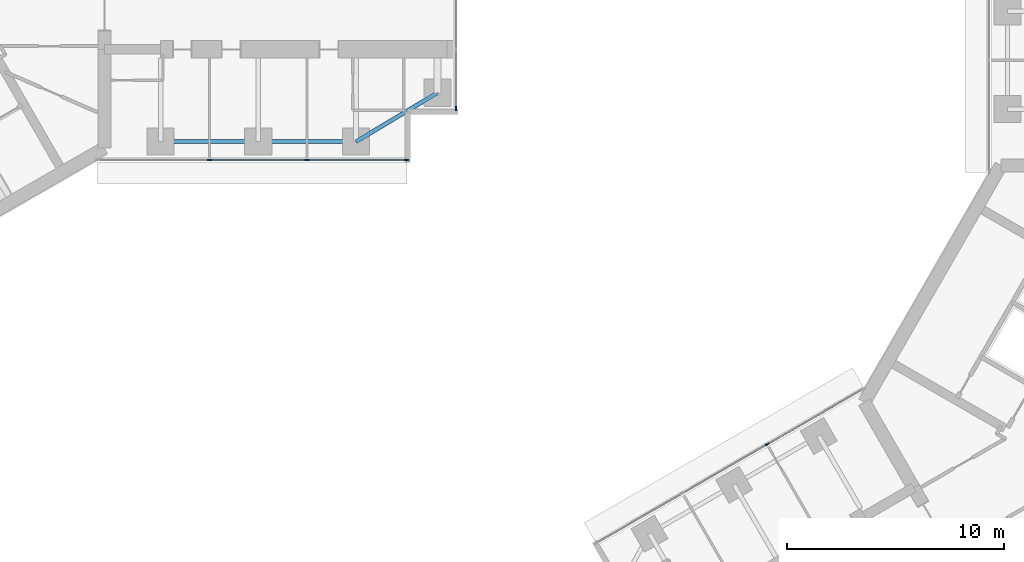
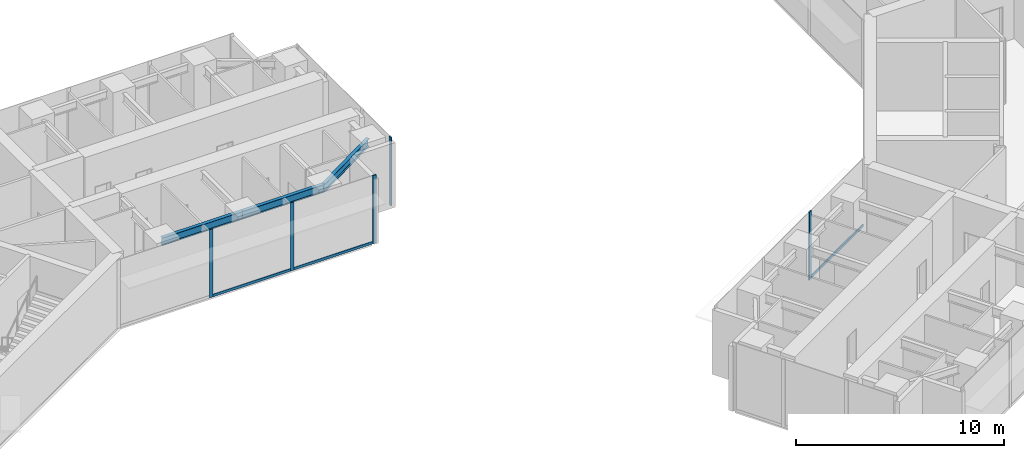
# One storey, part 4 of 23: 8 members, 3 beams, 3 elements without a shape of their own.
"""IFC4 building model written with IfcOpenShell, lengths in metres."""

from ifc_helpers import new_model, si_unit, direction, frame, origin, origin_2d, place, context, subcontext, project, spatial, rectangle, i_section, extrude, material, material_profile, profile_set, type_object, element, aggregate, save


model = new_model("IFC4")

# Units and contexts
model_context = context("Model", 3, precision=1e-05, world=origin(), true_north=direction((0.0, 1.0)))
body_context = subcontext(model_context, "Body", "Model", "MODEL_VIEW")
ifc_project = project(units=[si_unit("LENGTHUNIT", "METRE"), si_unit("AREAUNIT", "SQUARE_METRE"), si_unit("VOLUMEUNIT", "CUBIC_METRE"), si_unit("PLANEANGLEUNIT", "RADIAN"), si_unit("MASSUNIT", "GRAM", prefix="KILO")], contexts=[model_context])

# Site, building, storey
site_placement = place(None, origin())
site = spatial("IfcSite", under=ifc_project, at=site_placement, CompositionType="ELEMENT")
building_placement = place(site_placement, origin())
building = spatial("IfcBuilding", under=site, at=building_placement, Name="Upepo Twin Towers", CompositionType="ELEMENT")
storey_placement = place(building_placement, frame((0.0, 0.0, 145.5)))
storey = spatial("IfcBuildingStorey", under=building, at=storey_placement, Name="L35", CompositionType="ELEMENT", Elevation=145.5)

# Beams
ifc_material_1 = material(Name="Steel S355", Category="steel")
ifc_material_profile_1 = material_profile(ifc_material_1, i_section(OverallWidth=0.1904296875, OverallDepth=0.45703125, WebThickness=0.009033203125, FlangeThickness=0.014404296875, FilletRadius=0.01025390625, at=origin_2d()), Name="UB 457x191x74")
ifc_profile_set_1 = profile_set([ifc_material_profile_1], Name="Steel S355")
beam_type = type_object("IfcBeamType", Name="Beam UB 457x191x74", PredefinedType="BEAM", material=ifc_profile_set_1)
for number, where, z_axis, x_axis, name in (
    (1, (13.5, -6.0, 3.571533203125), (1.0, 0.0, 0.0), (0.0, 1.0, 0.0), "T1 edge beam AR 13.5-18.0"),
    (2, (18.0, -6.0, 3.571533203125), (1.0, 0.0, 0.0), (0.0, 1.0, 0.0), "T1 edge beam AR 18.0-22.5"),
):
    element("IfcBeam", number, at=place(storey_placement, frame(where, z_axis=z_axis, x_axis=x_axis)), inside=storey, type_object=beam_type, Name=name, PredefinedType="BEAM", context=body_context, shape_type="SweptSolid", body=[
        extrude(i_section(OverallWidth=0.1904296875, OverallDepth=0.45703125, WebThickness=0.009033203125, FlangeThickness=0.014404296875, FilletRadius=0.01025390625, at=origin_2d()), origin(), (0.0, 0.0, 1.0), 4.5),
    ])
beam_placement = place(storey_placement, frame((22.5, -6.0, 3.571533203125), z_axis=(0.857492925713, 0.514495755428, 0.0), x_axis=(-0.514495755428, 0.857492925713, 0.0)))
element("IfcBeam", 3, at=beam_placement, inside=storey, type_object=beam_type, Name="T1 nose edge beam AR", PredefinedType="BEAM", context=body_context, shape_type="SweptSolid", body=[
    extrude(i_section(OverallWidth=0.1904296875, OverallDepth=0.45703125, WebThickness=0.009033203125, FlangeThickness=0.014404296875, FilletRadius=0.01025390625, at=origin_2d()), origin(), (0.0, 0.0, 1.0), 4.373291015625),
])

# Curtain wall, members
ifc_material_2 = material(Name="Aluminium and fritted glass", Category="aluminium")
curtain_wall_type = type_object("IfcCurtainWallType", Name="Tower curtain wall TW2, fritted glass", PredefinedType="NOTDEFINED", material=ifc_material_2)
curtain_wall_1_placement = place(storey_placement, origin())
curtain_wall_1 = element("IfcCurtainWall", 4, at=curtain_wall_1_placement, inside=storey, type_object=curtain_wall_type, Name="T1 L35 wing A flank R curtain wall", PredefinedType="NOTDEFINED")
ifc_material_3 = material(Name="Aluminium mullion", Category="aluminium")
ifc_material_profile_2 = material_profile(ifc_material_3, rectangle(XDim=0.06494140625, YDim=0.199951171875, at=origin_2d()), Name="MULLION 65x200")
ifc_profile_set_2 = profile_set([ifc_material_profile_2], Name="Aluminium mullion")
member_type_1 = type_object("IfcMemberType", Name="Mullion 65x200 TW2", PredefinedType="MULLION", material=ifc_profile_set_2)
member_1_placement = place(storey_placement, frame((24.8173828125, -6.85009765625, 0.0), z_axis=(0.0, 0.0, 1.0), x_axis=(0.0, -1.0, 0.0)))
member_1 = element("IfcMember", 5, at=member_1_placement, type_object=member_type_1, Name="T1 L35 wing A flank R curtain wall mullion 1", PredefinedType="MULLION", context=body_context, shape_type="SweptSolid", body=[
    extrude(rectangle(XDim=0.06494140625, YDim=0.199951171875, at=origin_2d()), origin(), (0.0, 0.0, 1.0), 4.0),
])
member_2_placement = place(storey_placement, frame((20.25, -6.85009765625, 0.0), z_axis=(0.0, 0.0, 1.0), x_axis=(0.0, -1.0, 0.0)))
member_2 = element("IfcMember", 6, at=member_2_placement, type_object=member_type_1, Name="T1 L35 wing A flank R curtain wall mullion 2", PredefinedType="MULLION", context=body_context, shape_type="SweptSolid", body=[
    extrude(rectangle(XDim=0.06494140625, YDim=0.199951171875, at=origin_2d()), origin(), (0.0, 0.0, 1.0), 4.0),
])
member_3_placement = place(storey_placement, frame((15.75, -6.85009765625, 0.0), z_axis=(0.0, 0.0, 1.0), x_axis=(0.0, -1.0, 0.0)))
member_3 = element("IfcMember", 7, at=member_3_placement, type_object=member_type_1, Name="T1 L35 wing A flank R curtain wall mullion 3", PredefinedType="MULLION", context=body_context, shape_type="SweptSolid", body=[
    extrude(rectangle(XDim=0.06494140625, YDim=0.199951171875, at=origin_2d()), origin(), (0.0, 0.0, 1.0), 4.0),
])

# Curtain wall, member
curtain_wall_2_placement = place(storey_placement, origin())
curtain_wall_2 = element("IfcCurtainWall", 8, at=curtain_wall_2_placement, inside=storey, type_object=curtain_wall_type, Name="T1 L35 wing A nose curtain wall", PredefinedType="NOTDEFINED")
member_4_placement = place(storey_placement, frame((27.10009765625, -4.467529296875, 0.0), z_axis=(0.0, 0.0, 1.0), x_axis=(-1.0, 0.0, 0.0)))
member_4 = element("IfcMember", 9, at=member_4_placement, type_object=member_type_1, Name="T1 L35 wing A nose curtain wall mullion 1", PredefinedType="MULLION", context=body_context, shape_type="SweptSolid", body=[
    extrude(rectangle(XDim=0.06494140625, YDim=0.199951171875, at=origin_2d()), origin(), (0.0, 0.0, 1.0), 4.0),
])
aggregate(curtain_wall_2, [member_4])

curtain_wall_3_placement = place(storey_placement, origin())
curtain_wall_3 = element("IfcCurtainWall", 10, at=curtain_wall_3_placement, inside=storey, type_object=curtain_wall_type, Name="T2 L35 wing B flank R curtain wall", PredefinedType="NOTDEFINED")
member_5_placement = place(storey_placement, frame((41.43505859375, -19.942626953125, 0.0), z_axis=(0.0, 0.0, 1.0), x_axis=(-0.500000010308, 0.866025397833, 0.0)))
member_5 = element("IfcMember", 11, at=member_5_placement, type_object=member_type_1, Name="T2 L35 wing B flank R curtain wall mullion 3", PredefinedType="MULLION", context=body_context, shape_type="SweptSolid", body=[
    extrude(rectangle(XDim=0.06494140625, YDim=0.199951171875, at=origin_2d()), origin(), (0.0, 0.0, 1.0), 4.0),
])

# Member
ifc_material_4 = material(Name="Aluminium transom", Category="aluminium")
ifc_material_profile_3 = material_profile(ifc_material_4, rectangle(XDim=0.06494140625, YDim=0.14990234375, at=origin_2d()), Name="TRANSOM 65x150")
ifc_profile_set_3 = profile_set([ifc_material_profile_3], Name="Aluminium transom")
member_type_2 = type_object("IfcMemberType", Name="Transom 65x150 TW2", PredefinedType="USERDEFINED", material=ifc_profile_set_3)
member_6_placement = place(storey_placement, frame((24.784912109375, -6.85009765625, 0.074951171875), z_axis=(-1.0, 0.0, 0.0), x_axis=(0.0, -1.0, 0.0)))
member_6 = element("IfcMember", 12, at=member_6_placement, type_object=member_type_2, Name="T1 L35 wing A flank R curtain wall transom 1", ObjectType="TRANSOM", PredefinedType="USERDEFINED", context=body_context, shape_type="SweptSolid", body=[
    extrude(rectangle(XDim=0.06494140625, YDim=0.14990234375, at=origin_2d()), origin(), (0.0, 0.0, 1.0), 4.50244140625),
])

member_7_placement = place(storey_placement, frame((20.217529296875, -6.85009765625, 0.074951171875), z_axis=(-1.0, 0.0, 0.0), x_axis=(0.0, -1.0, 0.0)))
member_7 = element("IfcMember", 13, at=member_7_placement, type_object=member_type_2, Name="T1 L35 wing A flank R curtain wall transom 2", ObjectType="TRANSOM", PredefinedType="USERDEFINED", context=body_context, shape_type="SweptSolid", body=[
    extrude(rectangle(XDim=0.06494140625, YDim=0.14990234375, at=origin_2d()), origin(), (0.0, 0.0, 1.0), 4.43505859375),
])

aggregate(curtain_wall_1, [member_1, member_2, member_3, member_6, member_7])

member_8_placement = place(storey_placement, frame((41.463134765625, -19.926513671875, 0.074951171875), z_axis=(0.866033897268, 0.499985288567, 0.0), x_axis=(-0.499985288567, 0.866033897268, 0.0)))
member_8 = element("IfcMember", 14, at=member_8_placement, type_object=member_type_2, Name="T2 L35 wing B flank R curtain wall transom 3", ObjectType="TRANSOM", PredefinedType="USERDEFINED", context=body_context, shape_type="SweptSolid", body=[
    extrude(rectangle(XDim=0.06494140625, YDim=0.14990234375, at=origin_2d()), origin(), (0.0, 0.0, 1.0), 5.065673828125),
])

aggregate(curtain_wall_3, [member_5, member_8])

save(model, "model.ifc")
